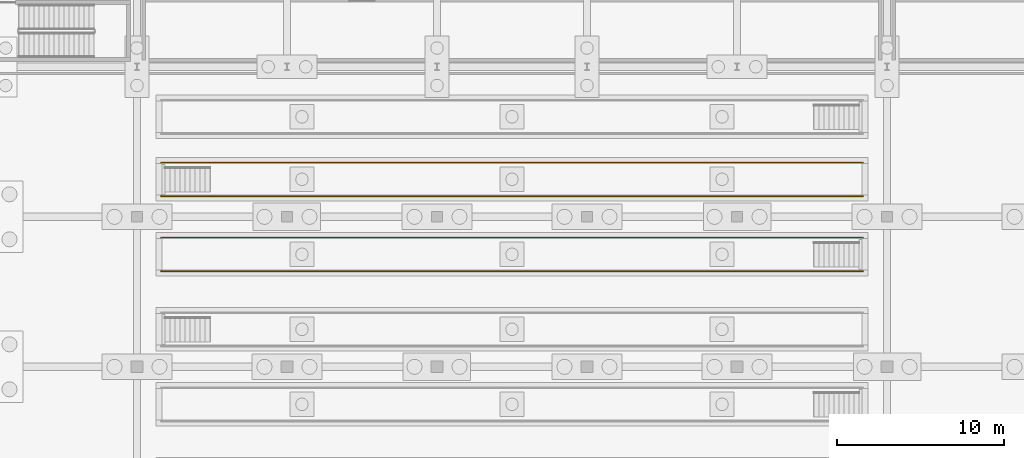
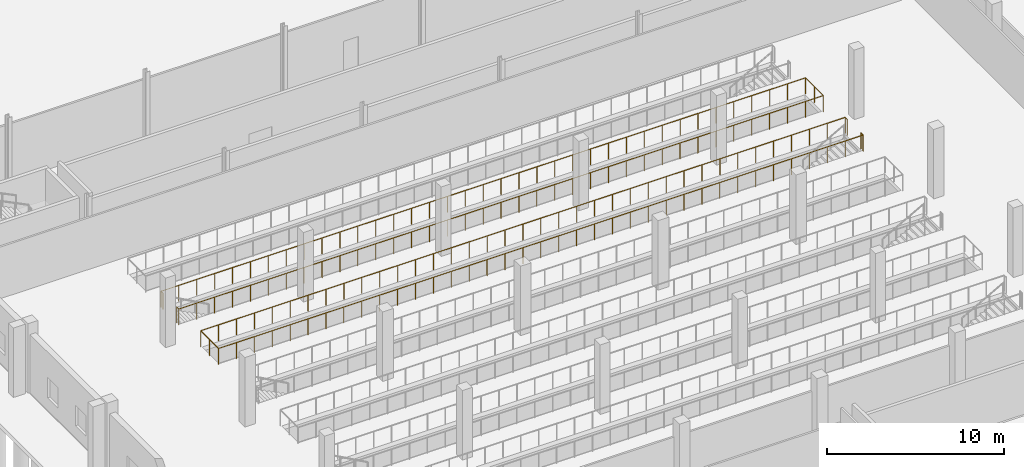
# One storey, part 100 of 112: 2 railings.
"""IFC4 building model written with IfcOpenShell, lengths in metres."""

from ifc_helpers import new_model, si_unit, direction, frame, origin, origin_2d, place, context, subcontext, project, spatial, circle, extrude, material, type_object, element, save


model = new_model("IFC4")

# Units and contexts
model_context = context("Model", 3, precision=1e-05, world=origin(), true_north=direction((0.0, 1.0)))
body_context = subcontext(model_context, "Body", "Model", "MODEL_VIEW")
ifc_project = project(units=[si_unit("LENGTHUNIT", "METRE"), si_unit("AREAUNIT", "SQUARE_METRE"), si_unit("VOLUMEUNIT", "CUBIC_METRE"), si_unit("PLANEANGLEUNIT", "RADIAN"), si_unit("MASSUNIT", "GRAM", prefix="KILO")], contexts=[model_context])

# Site, building, storey
site_placement = place(None, origin())
site = spatial("IfcSite", under=ifc_project, at=site_placement, CompositionType="ELEMENT")
building_placement = place(site_placement, origin())
building = spatial("IfcBuilding", under=site, at=building_placement, Name="Tharagai Park Tramway Depot", CompositionType="ELEMENT")
storey_placement = place(building_placement, origin())
storey = spatial("IfcBuildingStorey", under=building, at=storey_placement, Name="L00", CompositionType="ELEMENT", Elevation=0.0)

# Railings
ifc_material = material(Name="Galvanised steel", Category="steel")
railing_type = type_object("IfcRailingType", Name="HR-01", PredefinedType="GUARDRAIL", material=ifc_material)
railing_1_placement = place(storey_placement, frame((52.56005859375, 79.52001953125, 0.0)))
element("IfcRailing", 1, at=railing_1_placement, inside=storey, type_object=railing_type, Name="Inspection Pit Track 6 Mouth Safety Guard 1", PredefinedType="GUARDRAIL", context=body_context, shape_type="SweptSolid", body=[
    extrude(circle(Radius=0.02392578125, at=origin_2d()), frame((0.0, 0.0, 1.10595703125), z_axis=(0.0, 1.0, 0.0), x_axis=(-1.0, 0.0, 0.0)), (0.0, 0.0, 1.0), 0.239990234375),
    extrude(circle(Radius=0.02392578125, at=origin_2d()), frame((0.0, 0.239990234375, 1.10595703125), z_axis=(-1.0, 0.0, 0.0), x_axis=(0.0, -1.0, 0.0)), (0.0, 0.0, 1.0), 42.1201171875),
    extrude(circle(Radius=0.02392578125, at=origin_2d()), frame((-42.1201171875, 0.239990234375, 1.10595703125), z_axis=(0.0, -1.0, 0.0), x_axis=(1.0, 0.0, 0.0)), (0.0, 0.0, 1.0), 2.02001953125),
    extrude(circle(Radius=0.02392578125, at=origin_2d()), frame((-42.1201171875, -1.780029296875, 1.10595703125), z_axis=(1.0, 0.0, 0.0), x_axis=(0.0, 1.0, 0.0)), (0.0, 0.0, 1.0), 42.1201171875),
    extrude(circle(Radius=0.02392578125, at=origin_2d()), frame((0.0, -1.780029296875, 1.10595703125), z_axis=(0.0, 1.0, 0.0), x_axis=(-1.0, 0.0, 0.0)), (0.0, 0.0, 1.0), 0.239990234375),
    extrude(circle(Radius=0.02099609375, at=origin_2d()), origin(), (0.0, 0.0, 1.0), 1.081787109375),
    extrude(circle(Radius=0.02099609375, at=origin_2d()), frame((0.0, 0.239990234375, 0.0)), (0.0, 0.0, 1.0), 1.081787109375),
    extrude(circle(Radius=0.02099609375, at=origin_2d()), frame((-1.169921875, 0.239990234375, 0.0)), (0.0, 0.0, 1.0), 1.081787109375),
    extrude(circle(Radius=0.02099609375, at=origin_2d()), frame((-2.340087890625, 0.239990234375, 0.0)), (0.0, 0.0, 1.0), 1.081787109375),
    extrude(circle(Radius=0.02099609375, at=origin_2d()), frame((-3.510009765625, 0.239990234375, 0.0)), (0.0, 0.0, 1.0), 1.081787109375),
    extrude(circle(Radius=0.02099609375, at=origin_2d()), frame((-4.679931640625, 0.239990234375, 0.0)), (0.0, 0.0, 1.0), 1.081787109375),
    extrude(circle(Radius=0.02099609375, at=origin_2d()), frame((-5.85009765625, 0.239990234375, 0.0)), (0.0, 0.0, 1.0), 1.081787109375),
    extrude(circle(Radius=0.02099609375, at=origin_2d()), frame((-7.02001953125, 0.239990234375, 0.0)), (0.0, 0.0, 1.0), 1.081787109375),
    extrude(circle(Radius=0.02099609375, at=origin_2d()), frame((-8.18994140625, 0.239990234375, 0.0)), (0.0, 0.0, 1.0), 1.081787109375),
    extrude(circle(Radius=0.02099609375, at=origin_2d()), frame((-9.360107421875, 0.239990234375, 0.0)), (0.0, 0.0, 1.0), 1.081787109375),
    extrude(circle(Radius=0.02099609375, at=origin_2d()), frame((-10.530029296875, 0.239990234375, 0.0)), (0.0, 0.0, 1.0), 1.081787109375),
    extrude(circle(Radius=0.02099609375, at=origin_2d()), frame((-11.699951171875, 0.239990234375, 0.0)), (0.0, 0.0, 1.0), 1.081787109375),
    extrude(circle(Radius=0.02099609375, at=origin_2d()), frame((-12.8701171875, 0.239990234375, 0.0)), (0.0, 0.0, 1.0), 1.081787109375),
    extrude(circle(Radius=0.02099609375, at=origin_2d()), frame((-14.0400390625, 0.239990234375, 0.0)), (0.0, 0.0, 1.0), 1.081787109375),
    extrude(circle(Radius=0.02099609375, at=origin_2d()), frame((-15.2099609375, 0.239990234375, 0.0)), (0.0, 0.0, 1.0), 1.081787109375),
    extrude(circle(Radius=0.02099609375, at=origin_2d()), frame((-16.380126953125, 0.239990234375, 0.0)), (0.0, 0.0, 1.0), 1.081787109375),
    extrude(circle(Radius=0.02099609375, at=origin_2d()), frame((-17.550048828125, 0.239990234375, 0.0)), (0.0, 0.0, 1.0), 1.081787109375),
    extrude(circle(Radius=0.02099609375, at=origin_2d()), frame((-18.719970703125, 0.239990234375, 0.0)), (0.0, 0.0, 1.0), 1.081787109375),
    extrude(circle(Radius=0.02099609375, at=origin_2d()), frame((-19.89013671875, 0.239990234375, 0.0)), (0.0, 0.0, 1.0), 1.081787109375),
    extrude(circle(Radius=0.02099609375, at=origin_2d()), frame((-21.06005859375, 0.239990234375, 0.0)), (0.0, 0.0, 1.0), 1.081787109375),
    extrude(circle(Radius=0.02099609375, at=origin_2d()), frame((-22.22998046875, 0.239990234375, 0.0)), (0.0, 0.0, 1.0), 1.081787109375),
    extrude(circle(Radius=0.02099609375, at=origin_2d()), frame((-23.400146484375, 0.239990234375, 0.0)), (0.0, 0.0, 1.0), 1.081787109375),
    extrude(circle(Radius=0.02099609375, at=origin_2d()), frame((-24.570068359375, 0.239990234375, 0.0)), (0.0, 0.0, 1.0), 1.081787109375),
    extrude(circle(Radius=0.02099609375, at=origin_2d()), frame((-25.739990234375, 0.239990234375, 0.0)), (0.0, 0.0, 1.0), 1.081787109375),
    extrude(circle(Radius=0.02099609375, at=origin_2d()), frame((-26.91015625, 0.239990234375, 0.0)), (0.0, 0.0, 1.0), 1.081787109375),
    extrude(circle(Radius=0.02099609375, at=origin_2d()), frame((-28.080078125, 0.239990234375, 0.0)), (0.0, 0.0, 1.0), 1.081787109375),
    extrude(circle(Radius=0.02099609375, at=origin_2d()), frame((-29.25, 0.239990234375, 0.0)), (0.0, 0.0, 1.0), 1.081787109375),
    extrude(circle(Radius=0.02099609375, at=origin_2d()), frame((-30.420166015625, 0.239990234375, 0.0)), (0.0, 0.0, 1.0), 1.081787109375),
    extrude(circle(Radius=0.02099609375, at=origin_2d()), frame((-31.590087890625, 0.239990234375, 0.0)), (0.0, 0.0, 1.0), 1.081787109375),
    extrude(circle(Radius=0.02099609375, at=origin_2d()), frame((-32.760009765625, 0.239990234375, 0.0)), (0.0, 0.0, 1.0), 1.081787109375),
    extrude(circle(Radius=0.02099609375, at=origin_2d()), frame((-33.93017578125, 0.239990234375, 0.0)), (0.0, 0.0, 1.0), 1.081787109375),
    extrude(circle(Radius=0.02099609375, at=origin_2d()), frame((-35.10009765625, 0.239990234375, 0.0)), (0.0, 0.0, 1.0), 1.081787109375),
    extrude(circle(Radius=0.02099609375, at=origin_2d()), frame((-36.27001953125, 0.239990234375, 0.0)), (0.0, 0.0, 1.0), 1.081787109375),
    extrude(circle(Radius=0.02099609375, at=origin_2d()), frame((-37.440185546875, 0.239990234375, 0.0)), (0.0, 0.0, 1.0), 1.081787109375),
    extrude(circle(Radius=0.02099609375, at=origin_2d()), frame((-38.610107421875, 0.239990234375, 0.0)), (0.0, 0.0, 1.0), 1.081787109375),
    extrude(circle(Radius=0.02099609375, at=origin_2d()), frame((-39.780029296875, 0.239990234375, 0.0)), (0.0, 0.0, 1.0), 1.081787109375),
    extrude(circle(Radius=0.02099609375, at=origin_2d()), frame((-40.9501953125, 0.239990234375, 0.0)), (0.0, 0.0, 1.0), 1.081787109375),
    extrude(circle(Radius=0.02099609375, at=origin_2d()), frame((-42.1201171875, 0.239990234375, 0.0)), (0.0, 0.0, 1.0), 1.081787109375),
    extrude(circle(Radius=0.02099609375, at=origin_2d()), frame((-42.1201171875, -0.77001953125, 0.0)), (0.0, 0.0, 1.0), 1.081787109375),
    extrude(circle(Radius=0.02099609375, at=origin_2d()), frame((-42.1201171875, -1.780029296875, 0.0)), (0.0, 0.0, 1.0), 1.081787109375),
    extrude(circle(Radius=0.02099609375, at=origin_2d()), frame((-40.9501953125, -1.780029296875, 0.0)), (0.0, 0.0, 1.0), 1.081787109375),
    extrude(circle(Radius=0.02099609375, at=origin_2d()), frame((-39.780029296875, -1.780029296875, 0.0)), (0.0, 0.0, 1.0), 1.081787109375),
    extrude(circle(Radius=0.02099609375, at=origin_2d()), frame((-38.610107421875, -1.780029296875, 0.0)), (0.0, 0.0, 1.0), 1.081787109375),
    extrude(circle(Radius=0.02099609375, at=origin_2d()), frame((-37.440185546875, -1.780029296875, 0.0)), (0.0, 0.0, 1.0), 1.081787109375),
    extrude(circle(Radius=0.02099609375, at=origin_2d()), frame((-36.27001953125, -1.780029296875, 0.0)), (0.0, 0.0, 1.0), 1.081787109375),
    extrude(circle(Radius=0.02099609375, at=origin_2d()), frame((-35.10009765625, -1.780029296875, 0.0)), (0.0, 0.0, 1.0), 1.081787109375),
    extrude(circle(Radius=0.02099609375, at=origin_2d()), frame((-33.93017578125, -1.780029296875, 0.0)), (0.0, 0.0, 1.0), 1.081787109375),
    extrude(circle(Radius=0.02099609375, at=origin_2d()), frame((-32.760009765625, -1.780029296875, 0.0)), (0.0, 0.0, 1.0), 1.081787109375),
    extrude(circle(Radius=0.02099609375, at=origin_2d()), frame((-31.590087890625, -1.780029296875, 0.0)), (0.0, 0.0, 1.0), 1.081787109375),
    extrude(circle(Radius=0.02099609375, at=origin_2d()), frame((-30.420166015625, -1.780029296875, 0.0)), (0.0, 0.0, 1.0), 1.081787109375),
    extrude(circle(Radius=0.02099609375, at=origin_2d()), frame((-29.25, -1.780029296875, 0.0)), (0.0, 0.0, 1.0), 1.081787109375),
    extrude(circle(Radius=0.02099609375, at=origin_2d()), frame((-28.080078125, -1.780029296875, 0.0)), (0.0, 0.0, 1.0), 1.081787109375),
    extrude(circle(Radius=0.02099609375, at=origin_2d()), frame((-26.91015625, -1.780029296875, 0.0)), (0.0, 0.0, 1.0), 1.081787109375),
    extrude(circle(Radius=0.02099609375, at=origin_2d()), frame((-25.739990234375, -1.780029296875, 0.0)), (0.0, 0.0, 1.0), 1.081787109375),
    extrude(circle(Radius=0.02099609375, at=origin_2d()), frame((-24.570068359375, -1.780029296875, 0.0)), (0.0, 0.0, 1.0), 1.081787109375),
    extrude(circle(Radius=0.02099609375, at=origin_2d()), frame((-23.400146484375, -1.780029296875, 0.0)), (0.0, 0.0, 1.0), 1.081787109375),
    extrude(circle(Radius=0.02099609375, at=origin_2d()), frame((-22.22998046875, -1.780029296875, 0.0)), (0.0, 0.0, 1.0), 1.081787109375),
    extrude(circle(Radius=0.02099609375, at=origin_2d()), frame((-21.06005859375, -1.780029296875, 0.0)), (0.0, 0.0, 1.0), 1.081787109375),
    extrude(circle(Radius=0.02099609375, at=origin_2d()), frame((-19.89013671875, -1.780029296875, 0.0)), (0.0, 0.0, 1.0), 1.081787109375),
    extrude(circle(Radius=0.02099609375, at=origin_2d()), frame((-18.719970703125, -1.780029296875, 0.0)), (0.0, 0.0, 1.0), 1.081787109375),
    extrude(circle(Radius=0.02099609375, at=origin_2d()), frame((-17.550048828125, -1.780029296875, 0.0)), (0.0, 0.0, 1.0), 1.081787109375),
    extrude(circle(Radius=0.02099609375, at=origin_2d()), frame((-16.380126953125, -1.780029296875, 0.0)), (0.0, 0.0, 1.0), 1.081787109375),
    extrude(circle(Radius=0.02099609375, at=origin_2d()), frame((-15.2099609375, -1.780029296875, 0.0)), (0.0, 0.0, 1.0), 1.081787109375),
    extrude(circle(Radius=0.02099609375, at=origin_2d()), frame((-14.0400390625, -1.780029296875, 0.0)), (0.0, 0.0, 1.0), 1.081787109375),
    extrude(circle(Radius=0.02099609375, at=origin_2d()), frame((-12.8701171875, -1.780029296875, 0.0)), (0.0, 0.0, 1.0), 1.081787109375),
    extrude(circle(Radius=0.02099609375, at=origin_2d()), frame((-11.699951171875, -1.780029296875, 0.0)), (0.0, 0.0, 1.0), 1.081787109375),
    extrude(circle(Radius=0.02099609375, at=origin_2d()), frame((-10.530029296875, -1.780029296875, 0.0)), (0.0, 0.0, 1.0), 1.081787109375),
    extrude(circle(Radius=0.02099609375, at=origin_2d()), frame((-9.360107421875, -1.780029296875, 0.0)), (0.0, 0.0, 1.0), 1.081787109375),
    extrude(circle(Radius=0.02099609375, at=origin_2d()), frame((-8.18994140625, -1.780029296875, 0.0)), (0.0, 0.0, 1.0), 1.081787109375),
    extrude(circle(Radius=0.02099609375, at=origin_2d()), frame((-7.02001953125, -1.780029296875, 0.0)), (0.0, 0.0, 1.0), 1.081787109375),
    extrude(circle(Radius=0.02099609375, at=origin_2d()), frame((-5.85009765625, -1.780029296875, 0.0)), (0.0, 0.0, 1.0), 1.081787109375),
    extrude(circle(Radius=0.02099609375, at=origin_2d()), frame((-4.679931640625, -1.780029296875, 0.0)), (0.0, 0.0, 1.0), 1.081787109375),
    extrude(circle(Radius=0.02099609375, at=origin_2d()), frame((-3.510009765625, -1.780029296875, 0.0)), (0.0, 0.0, 1.0), 1.081787109375),
    extrude(circle(Radius=0.02099609375, at=origin_2d()), frame((-2.340087890625, -1.780029296875, 0.0)), (0.0, 0.0, 1.0), 1.081787109375),
    extrude(circle(Radius=0.02099609375, at=origin_2d()), frame((-1.169921875, -1.780029296875, 0.0)), (0.0, 0.0, 1.0), 1.081787109375),
    extrude(circle(Radius=0.02099609375, at=origin_2d()), frame((0.0, -1.780029296875, 0.0)), (0.0, 0.0, 1.0), 1.081787109375),
    extrude(circle(Radius=0.02099609375, at=origin_2d()), frame((0.0, -1.5400390625, 0.0)), (0.0, 0.0, 1.0), 1.081787109375),
])
railing_2_placement = place(storey_placement, frame((10.43994140625, 82.47998046875, 0.0)))
element("IfcRailing", 2, at=railing_2_placement, inside=storey, type_object=railing_type, Name="Inspection Pit Track 7 Mouth Safety Guard 1", PredefinedType="GUARDRAIL", context=body_context, shape_type="SweptSolid", body=[
    extrude(circle(Radius=0.02392578125, at=origin_2d()), frame((0.0, 0.0, 1.10595703125), z_axis=(0.0, -1.0, 0.0), x_axis=(1.0, 0.0, 0.0)), (0.0, 0.0, 1.0), 0.239990234375),
    extrude(circle(Radius=0.02392578125, at=origin_2d()), frame((0.0, -0.239990234375, 1.10595703125), z_axis=(1.0, 0.0, 0.0), x_axis=(0.0, 1.0, 0.0)), (0.0, 0.0, 1.0), 42.1201171875),
    extrude(circle(Radius=0.02392578125, at=origin_2d()), frame((42.1201171875, -0.239990234375, 1.10595703125), z_axis=(0.0, 1.0, 0.0), x_axis=(-1.0, 0.0, 0.0)), (0.0, 0.0, 1.0), 2.02001953125),
    extrude(circle(Radius=0.02392578125, at=origin_2d()), frame((42.1201171875, 1.780029296875, 1.10595703125), z_axis=(-1.0, 0.0, 0.0), x_axis=(0.0, -1.0, 0.0)), (0.0, 0.0, 1.0), 42.1201171875),
    extrude(circle(Radius=0.02392578125, at=origin_2d()), frame((0.0, 1.780029296875, 1.10595703125), z_axis=(0.0, -1.0, 0.0), x_axis=(1.0, 0.0, 0.0)), (0.0, 0.0, 1.0), 0.239990234375),
    extrude(circle(Radius=0.02099609375, at=origin_2d()), origin(), (0.0, 0.0, 1.0), 1.081787109375),
    extrude(circle(Radius=0.02099609375, at=origin_2d()), frame((0.0, -0.239990234375, 0.0)), (0.0, 0.0, 1.0), 1.081787109375),
    extrude(circle(Radius=0.02099609375, at=origin_2d()), frame((1.169921875, -0.239990234375, 0.0)), (0.0, 0.0, 1.0), 1.081787109375),
    extrude(circle(Radius=0.02099609375, at=origin_2d()), frame((2.340087890625, -0.239990234375, 0.0)), (0.0, 0.0, 1.0), 1.081787109375),
    extrude(circle(Radius=0.02099609375, at=origin_2d()), frame((3.510009765625, -0.239990234375, 0.0)), (0.0, 0.0, 1.0), 1.081787109375),
    extrude(circle(Radius=0.02099609375, at=origin_2d()), frame((4.679931640625, -0.239990234375, 0.0)), (0.0, 0.0, 1.0), 1.081787109375),
    extrude(circle(Radius=0.02099609375, at=origin_2d()), frame((5.85009765625, -0.239990234375, 0.0)), (0.0, 0.0, 1.0), 1.081787109375),
    extrude(circle(Radius=0.02099609375, at=origin_2d()), frame((7.02001953125, -0.239990234375, 0.0)), (0.0, 0.0, 1.0), 1.081787109375),
    extrude(circle(Radius=0.02099609375, at=origin_2d()), frame((8.18994140625, -0.239990234375, 0.0)), (0.0, 0.0, 1.0), 1.081787109375),
    extrude(circle(Radius=0.02099609375, at=origin_2d()), frame((9.360107421875, -0.239990234375, 0.0)), (0.0, 0.0, 1.0), 1.081787109375),
    extrude(circle(Radius=0.02099609375, at=origin_2d()), frame((10.530029296875, -0.239990234375, 0.0)), (0.0, 0.0, 1.0), 1.081787109375),
    extrude(circle(Radius=0.02099609375, at=origin_2d()), frame((11.699951171875, -0.239990234375, 0.0)), (0.0, 0.0, 1.0), 1.081787109375),
    extrude(circle(Radius=0.02099609375, at=origin_2d()), frame((12.8701171875, -0.239990234375, 0.0)), (0.0, 0.0, 1.0), 1.081787109375),
    extrude(circle(Radius=0.02099609375, at=origin_2d()), frame((14.0400390625, -0.239990234375, 0.0)), (0.0, 0.0, 1.0), 1.081787109375),
    extrude(circle(Radius=0.02099609375, at=origin_2d()), frame((15.2099609375, -0.239990234375, 0.0)), (0.0, 0.0, 1.0), 1.081787109375),
    extrude(circle(Radius=0.02099609375, at=origin_2d()), frame((16.380126953125, -0.239990234375, 0.0)), (0.0, 0.0, 1.0), 1.081787109375),
    extrude(circle(Radius=0.02099609375, at=origin_2d()), frame((17.550048828125, -0.239990234375, 0.0)), (0.0, 0.0, 1.0), 1.081787109375),
    extrude(circle(Radius=0.02099609375, at=origin_2d()), frame((18.719970703125, -0.239990234375, 0.0)), (0.0, 0.0, 1.0), 1.081787109375),
    extrude(circle(Radius=0.02099609375, at=origin_2d()), frame((19.89013671875, -0.239990234375, 0.0)), (0.0, 0.0, 1.0), 1.081787109375),
    extrude(circle(Radius=0.02099609375, at=origin_2d()), frame((21.06005859375, -0.239990234375, 0.0)), (0.0, 0.0, 1.0), 1.081787109375),
    extrude(circle(Radius=0.02099609375, at=origin_2d()), frame((22.22998046875, -0.239990234375, 0.0)), (0.0, 0.0, 1.0), 1.081787109375),
    extrude(circle(Radius=0.02099609375, at=origin_2d()), frame((23.400146484375, -0.239990234375, 0.0)), (0.0, 0.0, 1.0), 1.081787109375),
    extrude(circle(Radius=0.02099609375, at=origin_2d()), frame((24.570068359375, -0.239990234375, 0.0)), (0.0, 0.0, 1.0), 1.081787109375),
    extrude(circle(Radius=0.02099609375, at=origin_2d()), frame((25.739990234375, -0.239990234375, 0.0)), (0.0, 0.0, 1.0), 1.081787109375),
    extrude(circle(Radius=0.02099609375, at=origin_2d()), frame((26.91015625, -0.239990234375, 0.0)), (0.0, 0.0, 1.0), 1.081787109375),
    extrude(circle(Radius=0.02099609375, at=origin_2d()), frame((28.080078125, -0.239990234375, 0.0)), (0.0, 0.0, 1.0), 1.081787109375),
    extrude(circle(Radius=0.02099609375, at=origin_2d()), frame((29.25, -0.239990234375, 0.0)), (0.0, 0.0, 1.0), 1.081787109375),
    extrude(circle(Radius=0.02099609375, at=origin_2d()), frame((30.420166015625, -0.239990234375, 0.0)), (0.0, 0.0, 1.0), 1.081787109375),
    extrude(circle(Radius=0.02099609375, at=origin_2d()), frame((31.590087890625, -0.239990234375, 0.0)), (0.0, 0.0, 1.0), 1.081787109375),
    extrude(circle(Radius=0.02099609375, at=origin_2d()), frame((32.760009765625, -0.239990234375, 0.0)), (0.0, 0.0, 1.0), 1.081787109375),
    extrude(circle(Radius=0.02099609375, at=origin_2d()), frame((33.93017578125, -0.239990234375, 0.0)), (0.0, 0.0, 1.0), 1.081787109375),
    extrude(circle(Radius=0.02099609375, at=origin_2d()), frame((35.10009765625, -0.239990234375, 0.0)), (0.0, 0.0, 1.0), 1.081787109375),
    extrude(circle(Radius=0.02099609375, at=origin_2d()), frame((36.27001953125, -0.239990234375, 0.0)), (0.0, 0.0, 1.0), 1.081787109375),
    extrude(circle(Radius=0.02099609375, at=origin_2d()), frame((37.440185546875, -0.239990234375, 0.0)), (0.0, 0.0, 1.0), 1.081787109375),
    extrude(circle(Radius=0.02099609375, at=origin_2d()), frame((38.610107421875, -0.239990234375, 0.0)), (0.0, 0.0, 1.0), 1.081787109375),
    extrude(circle(Radius=0.02099609375, at=origin_2d()), frame((39.780029296875, -0.239990234375, 0.0)), (0.0, 0.0, 1.0), 1.081787109375),
    extrude(circle(Radius=0.02099609375, at=origin_2d()), frame((40.9501953125, -0.239990234375, 0.0)), (0.0, 0.0, 1.0), 1.081787109375),
    extrude(circle(Radius=0.02099609375, at=origin_2d()), frame((42.1201171875, -0.239990234375, 0.0)), (0.0, 0.0, 1.0), 1.081787109375),
    extrude(circle(Radius=0.02099609375, at=origin_2d()), frame((42.1201171875, 0.77001953125, 0.0)), (0.0, 0.0, 1.0), 1.081787109375),
    extrude(circle(Radius=0.02099609375, at=origin_2d()), frame((42.1201171875, 1.780029296875, 0.0)), (0.0, 0.0, 1.0), 1.081787109375),
    extrude(circle(Radius=0.02099609375, at=origin_2d()), frame((40.9501953125, 1.780029296875, 0.0)), (0.0, 0.0, 1.0), 1.081787109375),
    extrude(circle(Radius=0.02099609375, at=origin_2d()), frame((39.780029296875, 1.780029296875, 0.0)), (0.0, 0.0, 1.0), 1.081787109375),
    extrude(circle(Radius=0.02099609375, at=origin_2d()), frame((38.610107421875, 1.780029296875, 0.0)), (0.0, 0.0, 1.0), 1.081787109375),
    extrude(circle(Radius=0.02099609375, at=origin_2d()), frame((37.440185546875, 1.780029296875, 0.0)), (0.0, 0.0, 1.0), 1.081787109375),
    extrude(circle(Radius=0.02099609375, at=origin_2d()), frame((36.27001953125, 1.780029296875, 0.0)), (0.0, 0.0, 1.0), 1.081787109375),
    extrude(circle(Radius=0.02099609375, at=origin_2d()), frame((35.10009765625, 1.780029296875, 0.0)), (0.0, 0.0, 1.0), 1.081787109375),
    extrude(circle(Radius=0.02099609375, at=origin_2d()), frame((33.93017578125, 1.780029296875, 0.0)), (0.0, 0.0, 1.0), 1.081787109375),
    extrude(circle(Radius=0.02099609375, at=origin_2d()), frame((32.760009765625, 1.780029296875, 0.0)), (0.0, 0.0, 1.0), 1.081787109375),
    extrude(circle(Radius=0.02099609375, at=origin_2d()), frame((31.590087890625, 1.780029296875, 0.0)), (0.0, 0.0, 1.0), 1.081787109375),
    extrude(circle(Radius=0.02099609375, at=origin_2d()), frame((30.420166015625, 1.780029296875, 0.0)), (0.0, 0.0, 1.0), 1.081787109375),
    extrude(circle(Radius=0.02099609375, at=origin_2d()), frame((29.25, 1.780029296875, 0.0)), (0.0, 0.0, 1.0), 1.081787109375),
    extrude(circle(Radius=0.02099609375, at=origin_2d()), frame((28.080078125, 1.780029296875, 0.0)), (0.0, 0.0, 1.0), 1.081787109375),
    extrude(circle(Radius=0.02099609375, at=origin_2d()), frame((26.91015625, 1.780029296875, 0.0)), (0.0, 0.0, 1.0), 1.081787109375),
    extrude(circle(Radius=0.02099609375, at=origin_2d()), frame((25.739990234375, 1.780029296875, 0.0)), (0.0, 0.0, 1.0), 1.081787109375),
    extrude(circle(Radius=0.02099609375, at=origin_2d()), frame((24.570068359375, 1.780029296875, 0.0)), (0.0, 0.0, 1.0), 1.081787109375),
    extrude(circle(Radius=0.02099609375, at=origin_2d()), frame((23.400146484375, 1.780029296875, 0.0)), (0.0, 0.0, 1.0), 1.081787109375),
    extrude(circle(Radius=0.02099609375, at=origin_2d()), frame((22.22998046875, 1.780029296875, 0.0)), (0.0, 0.0, 1.0), 1.081787109375),
    extrude(circle(Radius=0.02099609375, at=origin_2d()), frame((21.06005859375, 1.780029296875, 0.0)), (0.0, 0.0, 1.0), 1.081787109375),
    extrude(circle(Radius=0.02099609375, at=origin_2d()), frame((19.89013671875, 1.780029296875, 0.0)), (0.0, 0.0, 1.0), 1.081787109375),
    extrude(circle(Radius=0.02099609375, at=origin_2d()), frame((18.719970703125, 1.780029296875, 0.0)), (0.0, 0.0, 1.0), 1.081787109375),
    extrude(circle(Radius=0.02099609375, at=origin_2d()), frame((17.550048828125, 1.780029296875, 0.0)), (0.0, 0.0, 1.0), 1.081787109375),
    extrude(circle(Radius=0.02099609375, at=origin_2d()), frame((16.380126953125, 1.780029296875, 0.0)), (0.0, 0.0, 1.0), 1.081787109375),
    extrude(circle(Radius=0.02099609375, at=origin_2d()), frame((15.2099609375, 1.780029296875, 0.0)), (0.0, 0.0, 1.0), 1.081787109375),
    extrude(circle(Radius=0.02099609375, at=origin_2d()), frame((14.0400390625, 1.780029296875, 0.0)), (0.0, 0.0, 1.0), 1.081787109375),
    extrude(circle(Radius=0.02099609375, at=origin_2d()), frame((12.8701171875, 1.780029296875, 0.0)), (0.0, 0.0, 1.0), 1.081787109375),
    extrude(circle(Radius=0.02099609375, at=origin_2d()), frame((11.699951171875, 1.780029296875, 0.0)), (0.0, 0.0, 1.0), 1.081787109375),
    extrude(circle(Radius=0.02099609375, at=origin_2d()), frame((10.530029296875, 1.780029296875, 0.0)), (0.0, 0.0, 1.0), 1.081787109375),
    extrude(circle(Radius=0.02099609375, at=origin_2d()), frame((9.360107421875, 1.780029296875, 0.0)), (0.0, 0.0, 1.0), 1.081787109375),
    extrude(circle(Radius=0.02099609375, at=origin_2d()), frame((8.18994140625, 1.780029296875, 0.0)), (0.0, 0.0, 1.0), 1.081787109375),
    extrude(circle(Radius=0.02099609375, at=origin_2d()), frame((7.02001953125, 1.780029296875, 0.0)), (0.0, 0.0, 1.0), 1.081787109375),
    extrude(circle(Radius=0.02099609375, at=origin_2d()), frame((5.85009765625, 1.780029296875, 0.0)), (0.0, 0.0, 1.0), 1.081787109375),
    extrude(circle(Radius=0.02099609375, at=origin_2d()), frame((4.679931640625, 1.780029296875, 0.0)), (0.0, 0.0, 1.0), 1.081787109375),
    extrude(circle(Radius=0.02099609375, at=origin_2d()), frame((3.510009765625, 1.780029296875, 0.0)), (0.0, 0.0, 1.0), 1.081787109375),
    extrude(circle(Radius=0.02099609375, at=origin_2d()), frame((2.340087890625, 1.780029296875, 0.0)), (0.0, 0.0, 1.0), 1.081787109375),
    extrude(circle(Radius=0.02099609375, at=origin_2d()), frame((1.169921875, 1.780029296875, 0.0)), (0.0, 0.0, 1.0), 1.081787109375),
    extrude(circle(Radius=0.02099609375, at=origin_2d()), frame((0.0, 1.780029296875, 0.0)), (0.0, 0.0, 1.0), 1.081787109375),
    extrude(circle(Radius=0.02099609375, at=origin_2d()), frame((0.0, 1.5400390625, 0.0)), (0.0, 0.0, 1.0), 1.081787109375),
])

save(model, "model.ifc")
